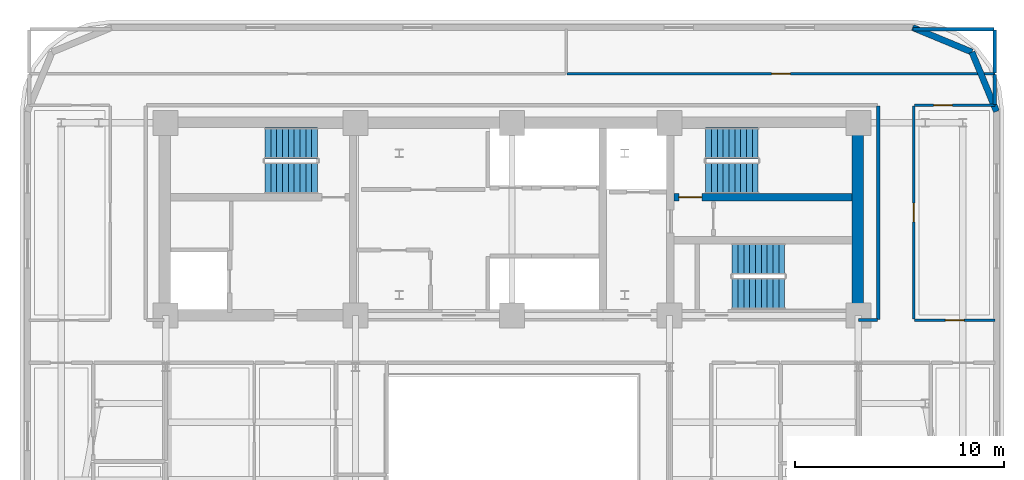
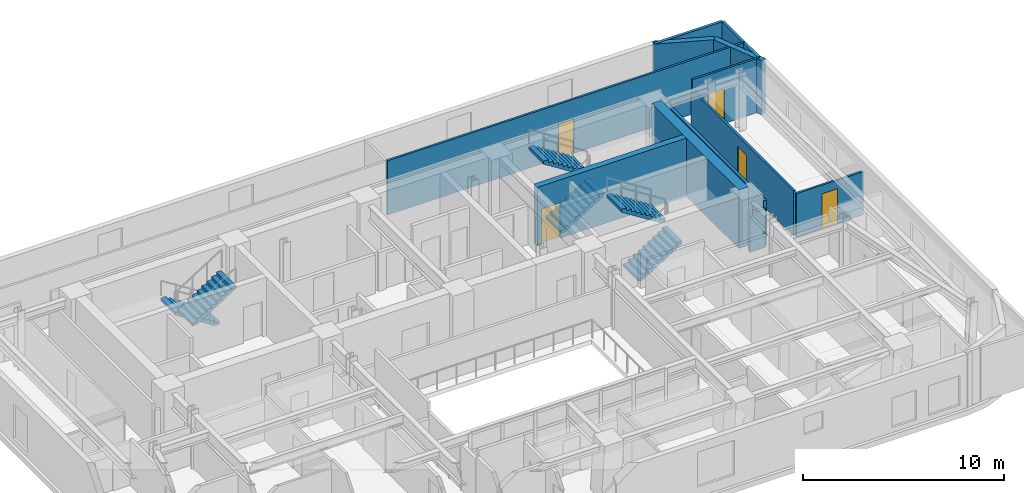
# One storey, part 9 of 12: 13 walls, 6 stair flights, 5 doors, 5 openings, 3 elements without a shape of their own.
"""IFC4 building model written with IfcOpenShell, lengths in metres."""

from ifc_helpers import new_model, si_unit, direction, frame, frame_2d, origin, place, context, subcontext, project, spatial, polyline, rectangle, outline, extrude, material, layer, layer_set, type_object, element, fill, aggregate, save


model = new_model("IFC4")

# Units and contexts
model_context = context("Model", 3, precision=1e-05, world=origin(), true_north=direction((0.0, 1.0)))
body_context = subcontext(model_context, "Body", "Model", "MODEL_VIEW")
ifc_project = project(units=[si_unit("LENGTHUNIT", "METRE"), si_unit("AREAUNIT", "SQUARE_METRE"), si_unit("VOLUMEUNIT", "CUBIC_METRE"), si_unit("PLANEANGLEUNIT", "RADIAN"), si_unit("MASSUNIT", "GRAM", prefix="KILO")], contexts=[model_context])

# Site, building, storey
site_placement = place(None, origin())
site = spatial("IfcSite", under=ifc_project, at=site_placement, CompositionType="ELEMENT")
building_placement = place(site_placement, origin())
building = spatial("IfcBuilding", under=site, at=building_placement, Name="Zarnavel Station Tower", CompositionType="ELEMENT")
storey_placement = place(building_placement, frame((0.0, 0.0, 144.800048828125)))
storey = spatial("IfcBuildingStorey", under=building, at=storey_placement, Name="L39", CompositionType="ELEMENT", Elevation=144.800048828125)

# Wall, opening, door
ifc_material_1 = material(Name="Concrete C50/60", Category="concrete")
ifc_layer_1 = layer(ifc_material_1, 0.35009765625)
ifc_layer_set_1 = layer_set([ifc_layer_1], Name="CW_350")
wall_type_1 = type_object("IfcWallType", Name="CW_350", PredefinedType="SHEAR", material=ifc_layer_set_1)
wall_1_placement = place(storey_placement, frame((45.10498046875, 33.47998046875, 0.0), z_axis=(0.0, 0.0, 1.0), x_axis=(-1.0, 0.0, 0.0)))
wall_1 = element("IfcWall", 1, at=wall_1_placement, inside=storey, type_object=wall_type_1, Name="L39 Rear Core Shear Wall DIV-H2", PredefinedType="SHEAR", context=body_context, shape_type="SweptSolid", body=[
    extrude(rectangle(XDim=8.550048828125, YDim=0.35009765625, at=frame_2d((4.27490234375, 0.0))), origin(), (0.0, 0.0, 1.0), 3.550048828125),
])
opening_1_placement = place(wall_1_placement, frame((7.205078125, 0.0, 0.0)))
opening_1 = element("IfcOpeningElement", 2, at=opening_1_placement, cuts=wall_1, Name="Opening FD01", PredefinedType="OPENING", context=body_context, shape_type="SweptSolid", body=[
    extrude(rectangle(XDim=1.10009765625, YDim=2.14990234375, at=frame_2d((0.550048828125, 1.074951171875))), frame((0.0, 0.18505859375, 0.0), z_axis=(0.0, -1.0, 0.0), x_axis=(1.0, 0.0, 0.0)), (0.0, 0.0, 1.0), 0.3701171875),
])
ifc_material_2 = material(Name="Painted Galvanised Steel and Hardwood Leaf", Category="steel")
door_type_1 = type_object("IfcDoorType", Name="ID_STAIR_1100", OperationType="NOTDEFINED", PredefinedType="DOOR", material=ifc_material_2)
door_1_placement = place(opening_1_placement, origin())
door_1 = element("IfcDoor", 3, at=door_1_placement, inside=storey, type_object=door_type_1, Name="L39 Stair ST2 Lobby Fire Door", OperationType="SINGLE_SWING_RIGHT", OverallHeight=2.14990234375, OverallWidth=1.10009765625, PredefinedType="DOOR", context=body_context, shape_type="SweptSolid", body=[
    extrude(rectangle(XDim=1.10009765625, YDim=2.14990234375, at=frame_2d((0.550048828125, 1.074951171875))), frame((0.0, 0.02490234375, 0.0), z_axis=(0.0, -1.0, 0.0), x_axis=(1.0, 0.0, 0.0)), (0.0, 0.0, 1.0), 0.050048828125),
])
fill(opening_1, door_1)

# Walls
ifc_material_3 = material(Name="Concrete C50/60", Category="concrete")
ifc_layer_2 = layer(ifc_material_3, 0.550048828125)
ifc_layer_set_2 = layer_set([ifc_layer_2], Name="CW_550")
wall_type_2 = type_object("IfcWallType", Name="CW_550", PredefinedType="SHEAR", material=ifc_layer_set_2)
wall_2_placement = place(storey_placement, frame((45.3798828125, 28.094970703125, 0.0), z_axis=(0.0, 0.0, 1.0), x_axis=(0.0, 1.0, 0.0)))
element("IfcWall", 4, at=wall_2_placement, inside=storey, type_object=wall_type_2, Name="L39 Rear Core Shear Wall E", PredefinedType="SHEAR", context=body_context, shape_type="SweptSolid", body=[
    extrude(rectangle(XDim=8.679931640625, YDim=0.550048828125, at=frame_2d((4.33984375, 0.0))), origin(), (0.0, 0.0, 1.0), 3.550048828125),
])
ifc_material_4 = material(Name="Precast concrete C45/55 (Dark Basalt Finish)", Category="masonry")
ifc_layer_3 = layer(ifc_material_4, 0.300048828125)
ifc_layer_set_3 = layer_set([ifc_layer_3], Name="EW_BASALT_300")
wall_type_3 = type_object("IfcWallType", Name="EW_BASALT_300", PredefinedType="SOLIDWALL", material=ifc_layer_set_3)
for number, where, z_axis, x_axis, name in (
    (5, (50.842529296875, 40.442626953125, 0.0), (0.0, 0.0, 1.0), (0.382704529509, -0.923870793506, 0.0), "L39 Exterior Basalt Masonry Frame Wall 04"),
    (6, (48.0, 41.6201171875, 0.0), (0.0, 0.0, 1.0), (0.923870793506, -0.382704529509, 0.0), "L39 Exterior Basalt Masonry Frame Wall 05"),
):
    element("IfcWall", number, at=place(storey_placement, frame(where, z_axis=z_axis, x_axis=x_axis)), inside=storey, type_object=wall_type_3, Name=name, PredefinedType="SOLIDWALL", context=body_context, shape_type="SweptSolid", body=[
        extrude(rectangle(XDim=3.07666015625, YDim=0.300048828125, at=frame_2d((1.538330078125, 0.0))), origin(), (0.0, 0.0, 1.0), 3.2900390625),
    ])
ifc_material_5 = material(Name="Gypsum Twin-Stud Acoustic Fire Partition", Category="concrete")
ifc_layer_4 = layer(ifc_material_5, 0.159912109375)
ifc_layer_set_4 = layer_set([ifc_layer_4], Name="PT_DEMISE_160")
wall_type_4 = type_object("IfcWallType", Name="PT_DEMISE_160", PredefinedType="PARTITIONING", material=ifc_layer_set_4)
wall_3_placement = place(storey_placement, frame((45.409912109375, 27.60009765625, 0.0), z_axis=(0.0, 0.0, 1.0), x_axis=(1.0, 0.0, 0.0)))
element("IfcWall", 7, at=wall_3_placement, inside=storey, type_object=wall_type_4, Name="L39 Enclosure Wall COR-S", PredefinedType="PARTITIONING", context=body_context, shape_type="SweptSolid", body=[
    extrude(rectangle(XDim=0.91015625, YDim=0.159912109375, at=frame_2d((0.455078125, 0.0))), origin(), (0.0, 0.0, 1.0), 2.35986328125),
])
wall_4_placement = place(storey_placement, frame((46.35009765625, 27.6298828125, 0.0), z_axis=(0.0, 0.0, 1.0), x_axis=(0.0, 1.0, 0.0)))
element("IfcWall", 8, at=wall_4_placement, inside=storey, type_object=wall_type_4, Name="L39 Enclosure Wall COR-E", PredefinedType="PARTITIONING", context=body_context, shape_type="SweptSolid", body=[
    extrude(rectangle(XDim=10.240234375, YDim=0.159912109375, at=frame_2d((5.1201171875, 0.0))), origin(), (0.0, 0.0, 1.0), 2.77001953125),
])
wall_5_placement = place(storey_placement, frame((51.93994140625, 37.929931640625, 0.0), z_axis=(0.0, 0.0, 1.0), x_axis=(0.0, 1.0, 0.0)))
element("IfcWall", 9, at=wall_5_placement, inside=storey, type_object=wall_type_4, Name="L39 Enclosure Wall COR-N", PredefinedType="PARTITIONING", context=body_context, shape_type="SweptSolid", body=[
    extrude(rectangle(XDim=1.440185546875, YDim=0.159912109375, at=frame_2d((0.72021484375, 0.0))), origin(), (0.0, 0.0, 1.0), 3.2900390625),
])
wall_6_placement = place(storey_placement, frame((48.030029296875, 41.5400390625, 0.0), z_axis=(0.0, 0.0, 1.0), x_axis=(1.0, 0.0, 0.0)))
element("IfcWall", 10, at=wall_6_placement, inside=storey, type_object=wall_type_4, Name="L39 Enclosure Wall NBRD", PredefinedType="PARTITIONING", context=body_context, shape_type="SweptSolid", body=[
    extrude(rectangle(XDim=3.8798828125, YDim=0.159912109375, at=frame_2d((1.93994140625, 0.0))), origin(), (0.0, 0.0, 1.0), 3.2900390625),
])
wall_7_placement = place(storey_placement, frame((51.93994140625, 39.429931640625, 0.0), z_axis=(0.0, 0.0, 1.0), x_axis=(0.0, 1.0, 0.0)))
element("IfcWall", 11, at=wall_7_placement, inside=storey, type_object=wall_type_4, Name="L39 Enclosure Wall NBRD", PredefinedType="PARTITIONING", context=body_context, shape_type="SweptSolid", body=[
    extrude(rectangle(XDim=2.080078125, YDim=0.159912109375, at=frame_2d((1.0400390625, 0.0))), origin(), (0.0, 0.0, 1.0), 3.2900390625),
])

# Wall, opening, door
ifc_material_6 = material(Name="Gypsum Metal-Stud Interior Partition", Category="concrete")
ifc_layer_5 = layer(ifc_material_6, 0.1201171875)
ifc_layer_set_5 = layer_set([ifc_layer_5], Name="PT_ROOM_120")
wall_type_5 = type_object("IfcWallType", Name="PT_ROOM_120", PredefinedType="PARTITIONING", material=ifc_layer_set_5)
wall_8_placement = place(storey_placement, frame((48.090087890625, 27.60009765625, 0.0), z_axis=(0.0, 0.0, 1.0), x_axis=(1.0, 0.0, 0.0)))
wall_8 = element("IfcWall", 12, at=wall_8_placement, inside=storey, type_object=wall_type_5, Name="L39 Partition COR-S-FNE", PredefinedType="PARTITIONING", context=body_context, shape_type="SweptSolid", body=[
    extrude(rectangle(XDim=3.849853515625, YDim=0.1201171875, at=frame_2d((1.9248046875, 0.0))), origin(), (0.0, 0.0, 1.0), 2.619873046875),
])
opening_2_placement = place(wall_8_placement, frame((1.47509765625, 0.0, 0.0)))
opening_2 = element("IfcOpeningElement", 13, at=opening_2_placement, cuts=wall_8, Name="Opening ID01", PredefinedType="OPENING", context=body_context, shape_type="SweptSolid", body=[
    extrude(rectangle(XDim=0.89990234375, YDim=2.10009765625, at=frame_2d((0.449951171875, 1.050048828125))), frame((0.0, 0.070068359375, 0.0), z_axis=(0.0, -1.0, 0.0), x_axis=(1.0, 0.0, 0.0)), (0.0, 0.0, 1.0), 0.14013671875),
])
ifc_material_7 = material(Name="Painted Galvanised Steel and Hardwood Leaf", Category="steel")
door_type_2 = type_object("IfcDoorType", Name="ID_ROOM_900", OperationType="NOTDEFINED", PredefinedType="DOOR", material=ifc_material_7)
door_2_placement = place(opening_2_placement, origin())
door_2 = element("IfcDoor", 14, at=door_2_placement, inside=storey, type_object=door_type_2, Name="L39 Door COR-S-FNE", OperationType="SINGLE_SWING_RIGHT", OverallHeight=2.10009765625, OverallWidth=0.89990234375, PredefinedType="DOOR", context=body_context, shape_type="SweptSolid", body=[
    extrude(rectangle(XDim=0.89990234375, YDim=2.10009765625, at=frame_2d((0.449951171875, 1.050048828125))), frame((0.0, 0.02490234375, 0.0), z_axis=(0.0, -1.0, 0.0), x_axis=(1.0, 0.0, 0.0)), (0.0, 0.0, 1.0), 0.050048828125),
])
fill(opening_2, door_2)

wall_9_placement = place(storey_placement, frame((48.050048828125, 27.639892578125, 0.0), z_axis=(0.0, 0.0, 1.0), x_axis=(0.0, 1.0, 0.0)))
wall_9 = element("IfcWall", 15, at=wall_9_placement, inside=storey, type_object=wall_type_5, Name="L39 Partition COR-E-FNE", PredefinedType="PARTITIONING", context=body_context, shape_type="SweptSolid", body=[
    extrude(rectangle(XDim=10.22021484375, YDim=0.1201171875, at=frame_2d((5.110107421875, 0.0))), origin(), (0.0, 0.0, 1.0), 2.77001953125),
])
opening_3_placement = place(wall_9_placement, frame((4.659912109375, 0.0, 0.0)))
opening_3 = element("IfcOpeningElement", 16, at=opening_3_placement, cuts=wall_9, Name="Opening ID01", PredefinedType="OPENING", context=body_context, shape_type="SweptSolid", body=[
    extrude(rectangle(XDim=0.89990234375, YDim=2.10009765625, at=frame_2d((0.449951171875, 1.050048828125))), frame((0.0, 0.070068359375, 0.0), z_axis=(0.0, -1.0, 0.0), x_axis=(1.0, 0.0, 0.0)), (0.0, 0.0, 1.0), 0.14013671875),
])
door_3_placement = place(opening_3_placement, origin())
door_3 = element("IfcDoor", 17, at=door_3_placement, inside=storey, type_object=door_type_2, Name="L39 Door COR-E-FNE", OperationType="SINGLE_SWING_RIGHT", OverallHeight=2.10009765625, OverallWidth=0.89990234375, PredefinedType="DOOR", context=body_context, shape_type="SweptSolid", body=[
    extrude(rectangle(XDim=0.89990234375, YDim=2.10009765625, at=frame_2d((0.449951171875, 1.050048828125))), frame((0.0, 0.02490234375, 0.0), z_axis=(0.0, -1.0, 0.0), x_axis=(1.0, 0.0, 0.0)), (0.0, 0.0, 1.0), 0.050048828125),
])
fill(opening_3, door_3)

wall_10_placement = place(storey_placement, frame((48.090087890625, 37.89990234375, 0.0), z_axis=(0.0, 0.0, 1.0), x_axis=(1.0, 0.0, 0.0)))
wall_10 = element("IfcWall", 18, at=wall_10_placement, inside=storey, type_object=wall_type_5, Name="L39 Partition COR-N-FNE", PredefinedType="PARTITIONING", context=body_context, shape_type="SweptSolid", body=[
    extrude(rectangle(XDim=3.849853515625, YDim=0.1201171875, at=frame_2d((1.9248046875, 0.0))), origin(), (0.0, 0.0, 1.0), 3.2900390625),
])
opening_4_placement = place(wall_10_placement, frame((0.918701171875, 0.0, 0.0)))
opening_4 = element("IfcOpeningElement", 19, at=opening_4_placement, cuts=wall_10, Name="Opening ID01", PredefinedType="OPENING", context=body_context, shape_type="SweptSolid", body=[
    extrude(rectangle(XDim=0.89990234375, YDim=2.10009765625, at=frame_2d((0.449951171875, 1.050048828125))), frame((0.0, 0.070068359375, 0.0), z_axis=(0.0, -1.0, 0.0), x_axis=(1.0, 0.0, 0.0)), (0.0, 0.0, 1.0), 0.14013671875),
])
door_4_placement = place(opening_4_placement, origin())
door_4 = element("IfcDoor", 20, at=door_4_placement, inside=storey, type_object=door_type_2, Name="L39 Door COR-N-FNE", OperationType="SINGLE_SWING_RIGHT", OverallHeight=2.10009765625, OverallWidth=0.89990234375, PredefinedType="DOOR", context=body_context, shape_type="SweptSolid", body=[
    extrude(rectangle(XDim=0.89990234375, YDim=2.10009765625, at=frame_2d((0.449951171875, 1.050048828125))), frame((0.0, 0.02490234375, 0.0), z_axis=(0.0, -1.0, 0.0), x_axis=(1.0, 0.0, 0.0)), (0.0, 0.0, 1.0), 0.050048828125),
])
fill(opening_4, door_4)

wall_11_placement = place(storey_placement, frame((31.43994140625, 39.39990234375, 0.0), z_axis=(0.0, 0.0, 1.0), x_axis=(1.0, 0.0, 0.0)))
wall_11 = element("IfcWall", 21, at=wall_11_placement, inside=storey, type_object=wall_type_5, Name="L39 Partition COR-N-NBRD", PredefinedType="PARTITIONING", context=body_context, shape_type="SweptSolid", body=[
    extrude(rectangle(XDim=20.5, YDim=0.1201171875, at=frame_2d((10.25, 0.0))), origin(), (0.0, 0.0, 1.0), 3.2900390625),
])
opening_5_placement = place(wall_11_placement, frame((9.800048828125, 0.0, 0.0)))
opening_5 = element("IfcOpeningElement", 22, at=opening_5_placement, cuts=wall_11, Name="Opening ID01", PredefinedType="OPENING", context=body_context, shape_type="SweptSolid", body=[
    extrude(rectangle(XDim=0.89990234375, YDim=2.10009765625, at=frame_2d((0.449951171875, 1.050048828125))), frame((0.0, 0.070068359375, 0.0), z_axis=(0.0, -1.0, 0.0), x_axis=(1.0, 0.0, 0.0)), (0.0, 0.0, 1.0), 0.14013671875),
])
door_5_placement = place(opening_5_placement, origin())
door_5 = element("IfcDoor", 23, at=door_5_placement, inside=storey, type_object=door_type_2, Name="L39 Door COR-N-NBRD", OperationType="SINGLE_SWING_RIGHT", OverallHeight=2.10009765625, OverallWidth=0.89990234375, PredefinedType="DOOR", context=body_context, shape_type="SweptSolid", body=[
    extrude(rectangle(XDim=0.89990234375, YDim=2.10009765625, at=frame_2d((0.449951171875, 1.050048828125))), frame((0.0, 0.02490234375, 0.0), z_axis=(0.0, -1.0, 0.0), x_axis=(1.0, 0.0, 0.0)), (0.0, 0.0, 1.0), 0.050048828125),
])
fill(opening_5, door_5)

# Stair, stair flights
ifc_material_8 = material(Name="Concrete C45/55", Category="concrete")
stair_type = type_object("IfcStairType", Name="ST_CORE_150", PredefinedType="HALF_TURN_STAIR", material=ifc_material_8)
stair_1_placement = place(storey_placement, origin())
stair_1 = element("IfcStair", 24, at=stair_1_placement, inside=storey, type_object=stair_type, Name="L39 Core Exit Stair ST1", PredefinedType="HALF_TURN_STAIR")
ifc_material_9 = material(Name="Concrete C45/55", Category="concrete")
ifc_layer_6 = layer(ifc_material_9, 0.179931640625)
ifc_layer_set_6 = layer_set([ifc_layer_6], Name="ST_CORE_150_FLT")
stair_flight_type = type_object("IfcStairFlightType", Name="ST_CORE_150_FLT", PredefinedType="STRAIGHT", material=ifc_layer_set_6)
stair_flight_1_placement = place(storey_placement, frame((19.47998046875, 36.070068359375, 0.0), z_axis=(0.0, 0.0, 1.0), x_axis=(-1.0, 0.0, 0.0)))
stair_flight_1 = element("IfcStairFlight", 25, at=stair_flight_1_placement, type_object=stair_flight_type, Name="ST1 flight 1", NumberOfRisers=10, NumberOfTreads=9, PredefinedType="STRAIGHT", RiserHeight=0.1775, TreadLength=0.28, context=body_context, shape_type="SweptSolid", body=[
    extrude(outline(polyline([(0.0, 0.0), (0.0, 0.177490234375), (0.280029296875, 0.177490234375), (0.280029296875, 0.35498046875), (0.56005859375, 0.35498046875), (0.56005859375, 0.532470703125), (0.840087890625, 0.532470703125), (0.840087890625, 0.7099609375), (1.1201171875, 0.7099609375), (1.1201171875, 0.887451171875), (1.39990234375, 0.887451171875), (1.39990234375, 1.06494140625), (1.679931640625, 1.06494140625), (1.679931640625, 1.242431640625), (1.9599609375, 1.242431640625), (1.9599609375, 1.419921875), (2.239990234375, 1.419921875), (2.239990234375, 1.597412109375), (2.52001953125, 1.597412109375), (2.52001953125, 1.77490234375), (2.52001953125, 1.419921875), (0.280029296875, 0.0), (0.0, 0.0)])), frame((0.0, 0.75, 0.0), z_axis=(0.0, -1.0, 0.0), x_axis=(1.0, 0.0, 0.0)), (0.0, 0.0, 1.0), 1.5),
])
stair_flight_2_placement = place(storey_placement, frame((16.9599609375, 34.409912109375, 1.77490234375), z_axis=(0.0, 0.0, 1.0), x_axis=(1.0, 0.0, 0.0)))
stair_flight_2 = element("IfcStairFlight", 26, at=stair_flight_2_placement, type_object=stair_flight_type, Name="ST1 flight 2", NumberOfRisers=10, NumberOfTreads=9, PredefinedType="STRAIGHT", RiserHeight=0.1775, TreadLength=0.28, context=body_context, shape_type="SweptSolid", body=[
    extrude(outline(polyline([(0.0, 0.0), (0.0, 0.177490234375), (0.280029296875, 0.177490234375), (0.280029296875, 0.35498046875), (0.56005859375, 0.35498046875), (0.56005859375, 0.532470703125), (0.840087890625, 0.532470703125), (0.840087890625, 0.7099609375), (1.1201171875, 0.7099609375), (1.1201171875, 0.887451171875), (1.39990234375, 0.887451171875), (1.39990234375, 1.06494140625), (1.679931640625, 1.06494140625), (1.679931640625, 1.242431640625), (1.9599609375, 1.242431640625), (1.9599609375, 1.419921875), (2.239990234375, 1.419921875), (2.239990234375, 1.597412109375), (2.52001953125, 1.597412109375), (2.52001953125, 1.77490234375), (2.52001953125, 1.419921875), (0.280029296875, 0.0), (0.0, 0.0)])), frame((0.0, 0.75, 0.0), z_axis=(0.0, -1.0, 0.0), x_axis=(1.0, 0.0, 0.0)), (0.0, 0.0, 1.0), 1.5),
])
aggregate(stair_1, [stair_flight_1, stair_flight_2])

stair_2_placement = place(storey_placement, origin())
stair_2 = element("IfcStair", 27, at=stair_2_placement, inside=storey, type_object=stair_type, Name="L39 Core Exit Stair ST2", PredefinedType="HALF_TURN_STAIR")
stair_flight_3_placement = place(storey_placement, frame((38.080078125, 34.409912109375, 0.0), z_axis=(0.0, 0.0, 1.0), x_axis=(1.0, 0.0, 0.0)))
stair_flight_3 = element("IfcStairFlight", 28, at=stair_flight_3_placement, type_object=stair_flight_type, Name="ST2 flight 1", NumberOfRisers=10, NumberOfTreads=9, PredefinedType="STRAIGHT", RiserHeight=0.1775, TreadLength=0.28, context=body_context, shape_type="SweptSolid", body=[
    extrude(outline(polyline([(0.0, 0.0), (0.0, 0.177490234375), (0.280029296875, 0.177490234375), (0.280029296875, 0.35498046875), (0.56005859375, 0.35498046875), (0.56005859375, 0.532470703125), (0.840087890625, 0.532470703125), (0.840087890625, 0.7099609375), (1.1201171875, 0.7099609375), (1.1201171875, 0.887451171875), (1.39990234375, 0.887451171875), (1.39990234375, 1.06494140625), (1.679931640625, 1.06494140625), (1.679931640625, 1.242431640625), (1.9599609375, 1.242431640625), (1.9599609375, 1.419921875), (2.239990234375, 1.419921875), (2.239990234375, 1.597412109375), (2.52001953125, 1.597412109375), (2.52001953125, 1.77490234375), (2.52001953125, 1.419921875), (0.280029296875, 0.0), (0.0, 0.0)])), frame((0.0, 0.75, 0.0), z_axis=(0.0, -1.0, 0.0), x_axis=(1.0, 0.0, 0.0)), (0.0, 0.0, 1.0), 1.5),
])
stair_flight_4_placement = place(storey_placement, frame((40.60009765625, 36.070068359375, 1.77490234375), z_axis=(0.0, 0.0, 1.0), x_axis=(-1.0, 0.0, 0.0)))
stair_flight_4 = element("IfcStairFlight", 29, at=stair_flight_4_placement, type_object=stair_flight_type, Name="ST2 flight 2", NumberOfRisers=10, NumberOfTreads=9, PredefinedType="STRAIGHT", RiserHeight=0.1775, TreadLength=0.28, context=body_context, shape_type="SweptSolid", body=[
    extrude(outline(polyline([(0.0, 0.0), (0.0, 0.177490234375), (0.280029296875, 0.177490234375), (0.280029296875, 0.35498046875), (0.56005859375, 0.35498046875), (0.56005859375, 0.532470703125), (0.840087890625, 0.532470703125), (0.840087890625, 0.7099609375), (1.1201171875, 0.7099609375), (1.1201171875, 0.887451171875), (1.39990234375, 0.887451171875), (1.39990234375, 1.06494140625), (1.679931640625, 1.06494140625), (1.679931640625, 1.242431640625), (1.9599609375, 1.242431640625), (1.9599609375, 1.419921875), (2.239990234375, 1.419921875), (2.239990234375, 1.597412109375), (2.52001953125, 1.597412109375), (2.52001953125, 1.77490234375), (2.52001953125, 1.419921875), (0.280029296875, 0.0), (0.0, 0.0)])), frame((0.0, 0.75, 0.0), z_axis=(0.0, -1.0, 0.0), x_axis=(1.0, 0.0, 0.0)), (0.0, 0.0, 1.0), 1.5),
])
aggregate(stair_2, [stair_flight_3, stair_flight_4])

stair_3_placement = place(storey_placement, origin())
stair_3 = element("IfcStair", 30, at=stair_3_placement, inside=storey, type_object=stair_type, Name="L39 Core Exit Stair ST3", PredefinedType="HALF_TURN_STAIR")
stair_flight_5_placement = place(storey_placement, frame((39.35009765625, 28.8701171875, 0.0), z_axis=(0.0, 0.0, 1.0), x_axis=(1.0, 0.0, 0.0)))
stair_flight_5 = element("IfcStairFlight", 31, at=stair_flight_5_placement, type_object=stair_flight_type, Name="ST3 flight 1", NumberOfRisers=10, NumberOfTreads=9, PredefinedType="STRAIGHT", RiserHeight=0.1775, TreadLength=0.28, context=body_context, shape_type="SweptSolid", body=[
    extrude(outline(polyline([(0.0, 0.0), (0.0, 0.177490234375), (0.280029296875, 0.177490234375), (0.280029296875, 0.35498046875), (0.56005859375, 0.35498046875), (0.56005859375, 0.532470703125), (0.840087890625, 0.532470703125), (0.840087890625, 0.7099609375), (1.1201171875, 0.7099609375), (1.1201171875, 0.887451171875), (1.39990234375, 0.887451171875), (1.39990234375, 1.06494140625), (1.679931640625, 1.06494140625), (1.679931640625, 1.242431640625), (1.9599609375, 1.242431640625), (1.9599609375, 1.419921875), (2.239990234375, 1.419921875), (2.239990234375, 1.597412109375), (2.52001953125, 1.597412109375), (2.52001953125, 1.77490234375), (2.52001953125, 1.419921875), (0.280029296875, 0.0), (0.0, 0.0)])), frame((0.0, 0.75, 0.0), z_axis=(0.0, -1.0, 0.0), x_axis=(1.0, 0.0, 0.0)), (0.0, 0.0, 1.0), 1.5),
])
stair_flight_6_placement = place(storey_placement, frame((41.8701171875, 30.530029296875, 1.77490234375), z_axis=(0.0, 0.0, 1.0), x_axis=(-1.0, 0.0, 0.0)))
stair_flight_6 = element("IfcStairFlight", 32, at=stair_flight_6_placement, type_object=stair_flight_type, Name="ST3 flight 2", NumberOfRisers=10, NumberOfTreads=9, PredefinedType="STRAIGHT", RiserHeight=0.1775, TreadLength=0.28, context=body_context, shape_type="SweptSolid", body=[
    extrude(outline(polyline([(0.0, 0.0), (0.0, 0.177490234375), (0.280029296875, 0.177490234375), (0.280029296875, 0.35498046875), (0.56005859375, 0.35498046875), (0.56005859375, 0.532470703125), (0.840087890625, 0.532470703125), (0.840087890625, 0.7099609375), (1.1201171875, 0.7099609375), (1.1201171875, 0.887451171875), (1.39990234375, 0.887451171875), (1.39990234375, 1.06494140625), (1.679931640625, 1.06494140625), (1.679931640625, 1.242431640625), (1.9599609375, 1.242431640625), (1.9599609375, 1.419921875), (2.239990234375, 1.419921875), (2.239990234375, 1.597412109375), (2.52001953125, 1.597412109375), (2.52001953125, 1.77490234375), (2.52001953125, 1.419921875), (0.280029296875, 0.0), (0.0, 0.0)])), frame((0.0, 0.75, 0.0), z_axis=(0.0, -1.0, 0.0), x_axis=(1.0, 0.0, 0.0)), (0.0, 0.0, 1.0), 1.5),
])
aggregate(stair_3, [stair_flight_5, stair_flight_6])

save(model, "model.ifc")
